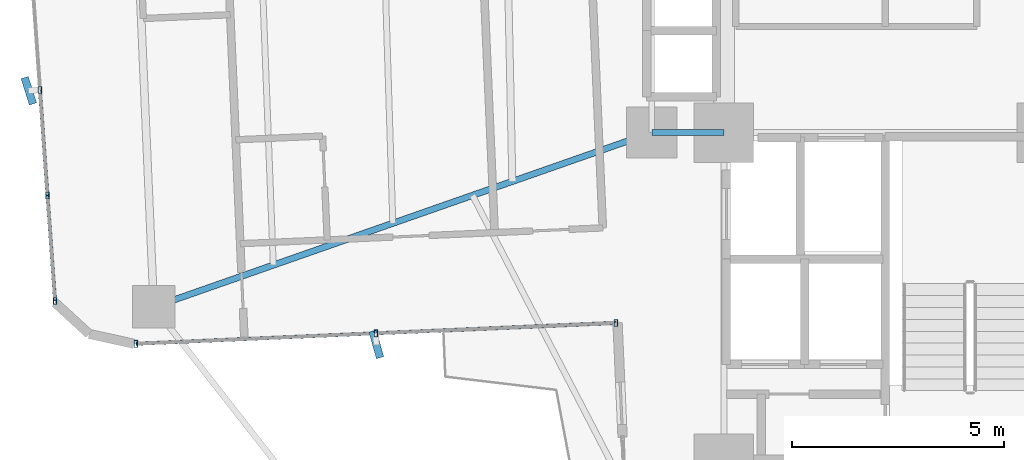
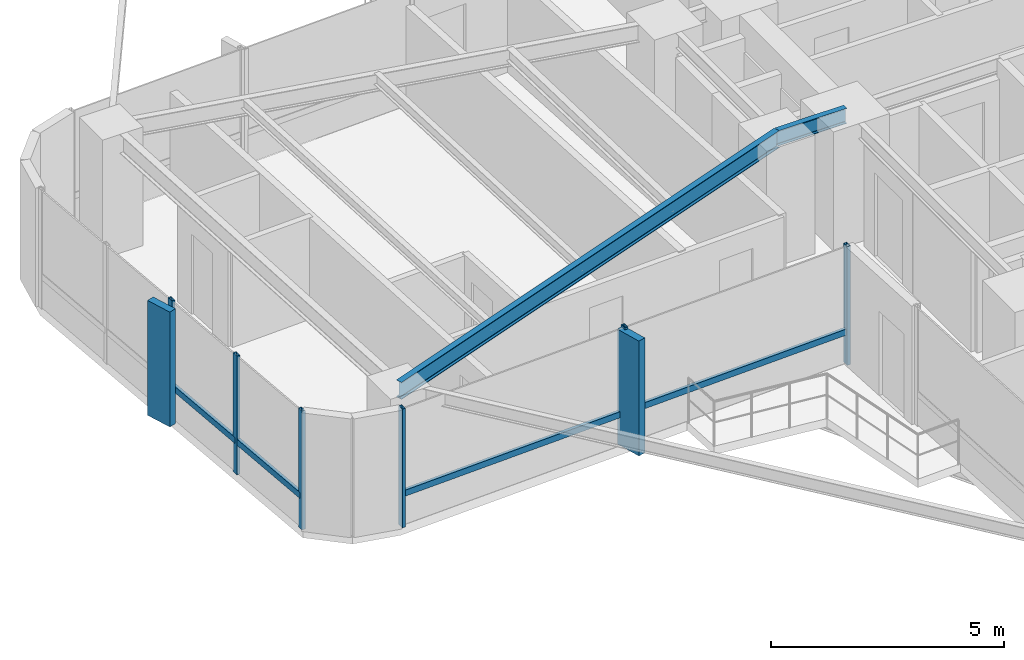
# One storey, part 8 of 26: 12 members, 2 beams, 2 elements without a shape of their own.
"""IFC4 building model written with IfcOpenShell, lengths in metres."""

import ifcopenshell
import ifcopenshell.guid

model = None  # the IFC model being written
_history = None  # IfcOwnerHistory: only IFC2X3 demands one
_inside = {}  # id of a spatial element -> (the spatial element, [elements in it])
_under = {}  # id of a project, library or spatial element -> (it, [spatial elements below it])
_declared = {}  # id of a project -> (the project, [libraries it declares])
_typed = {}  # id of a type object -> (the type object, [elements of that type])
_made_of = {}  # id of a material, layer set ... -> (it, [elements and type objects made of it])


def new_model(schema):
    """Start an empty IFC model of exactly this schema.

    Asked for "IFC4X3", IfcOpenShell would pick the latest addendum, in which some entities
    have other attributes; the version numbers below select the first issue.
    IFC2X3 requires an IfcOwnerHistory on every rooted entity: one is made here for all.
    """
    global model, _history
    if schema == "IFC4X3":
        model = ifcopenshell.file(schema_version=(4, 3, 0, 0))
    else:
        model = ifcopenshell.file(schema=schema)
    _inside.clear()
    _under.clear()
    _declared.clear()
    _typed.clear()
    _made_of.clear()
    _history = None
    if model.schema == "IFC2X3":
        org = make("IfcOrganization", Name="unknown")
        user = make(
            "IfcPersonAndOrganization",
            ThePerson=make("IfcPerson", FamilyName="unknown"),
            TheOrganization=org,
        )
        app = make(
            "IfcApplication",
            ApplicationDeveloper=org,
            Version="unknown",
            ApplicationFullName="unknown",
            ApplicationIdentifier="unknown",
        )
        _history = make(
            "IfcOwnerHistory",
            OwningUser=user,
            OwningApplication=app,
            ChangeAction="ADDED",
            CreationDate=0,
        )
    return model


def make(cls, **values):
    """One entity of the class cls with the attributes given. An attribute that is None is left unset."""
    return model.create_entity(
        cls, **{name: value for name, value in values.items() if value is not None}
    )


def rooted(cls, **values):
    """An entity with a GlobalId (a new one), such as an element, a storey or a relation."""
    return make(cls, GlobalId=ifcopenshell.guid.new(), OwnerHistory=_history, **values)


def si_unit(unit_type, name, prefix=None):
    """IfcSIUnit, for example si_unit("LENGTHUNIT", "METRE", prefix="MILLI")."""
    return make("IfcSIUnit", UnitType=unit_type, Prefix=prefix, Name=name)


def assignment(units):
    """IfcUnitAssignment: the units of a project."""
    return None if units is None else make("IfcUnitAssignment", Units=units)


def point(xyz):
    """IfcCartesianPoint."""
    return None if xyz is None else make("IfcCartesianPoint", Coordinates=xyz)


def direction(xyz):
    """IfcDirection."""
    return None if xyz is None else make("IfcDirection", DirectionRatios=xyz)


def frame(location, z_axis=None, x_axis=None):
    """IfcAxis2Placement3D, a coordinate frame: its origin and axes. An axis left out is left unset."""
    return make(
        "IfcAxis2Placement3D",
        Location=point(location),
        Axis=direction(z_axis),
        RefDirection=direction(x_axis),
    )


def frame_2d(location, x_axis=None):
    """IfcAxis2Placement2D, a coordinate frame in the plane: its origin and x axis."""
    return make(
        "IfcAxis2Placement2D", Location=point(location), RefDirection=direction(x_axis)
    )


def origin():
    """The frame at (0, 0, 0) with its axes left unset."""
    return frame((0.0, 0.0, 0.0))


def origin_2d():
    """The frame at (0, 0) in the plane with its x axis left unset."""
    return frame_2d((0.0, 0.0))


def place(relative_to, where):
    """IfcLocalPlacement: puts the frame where relative to a parent placement (None: the world)."""
    return make(
        "IfcLocalPlacement", PlacementRelTo=relative_to, RelativePlacement=where
    )


def context(
    kind, dimensions, precision=None, world=None, true_north=None, identifier=None
):
    """IfcGeometricRepresentationContext, for example the 3D "Model" context."""
    return make(
        "IfcGeometricRepresentationContext",
        ContextIdentifier=identifier,
        ContextType=kind,
        CoordinateSpaceDimension=dimensions,
        Precision=precision,
        WorldCoordinateSystem=world,
        TrueNorth=true_north,
    )


def subcontext(parent, identifier, kind, view, scale=None):
    """IfcGeometricRepresentationSubContext, for example "Body" below "Model"."""
    return make(
        "IfcGeometricRepresentationSubContext",
        ContextIdentifier=identifier,
        ContextType=kind,
        ParentContext=parent,
        TargetScale=scale,
        TargetView=view,
    )


def project(units=None, contexts=None):
    """IfcProject with its units and contexts."""
    return rooted(
        "IfcProject",
        Name="project",
        RepresentationContexts=contexts,
        UnitsInContext=assignment(units),
    )


def spatial(cls, under=None, at=None, **own):
    """A site, building, storey or space (cls), placed at a placement, below another one or the project."""
    s = rooted(cls, ObjectPlacement=at, **own)
    if under is not None:
        _under.setdefault(under.id(), (under, []))[1].append(s)
    return s


def profile(cls, at=None, kind="AREA", **sizes):
    """A parametric profile (cls). Its sizes go by their IFC names, for example OverallWidth=200.0."""
    return make(cls, ProfileType=kind, Position=at, **sizes)


def rectangle(**sizes):
    """IfcRectangleProfileDef."""
    return profile("IfcRectangleProfileDef", **sizes)


def hollow_rectangle(**sizes):
    """IfcRectangleHollowProfileDef."""
    return profile("IfcRectangleHollowProfileDef", **sizes)


def i_section(**sizes):
    """IfcIShapeProfileDef."""
    return profile("IfcIShapeProfileDef", **sizes)


def extrude(swept, where, along, depth):
    """IfcExtrudedAreaSolid: the profile swept, set in the frame where, extruded along a direction by depth."""
    return make(
        "IfcExtrudedAreaSolid",
        SweptArea=swept,
        Position=where,
        ExtrudedDirection=direction(along),
        Depth=depth,
    )


def shape(context_of_items, identifier, shape_type, items):
    """IfcShapeRepresentation: the items that make up one representation, for example the "Body"."""
    return make(
        "IfcShapeRepresentation",
        ContextOfItems=context_of_items,
        RepresentationIdentifier=identifier,
        RepresentationType=shape_type,
        Items=items,
    )


def source(mapping_origin, context_of_items, identifier, shape_type, items):
    """IfcRepresentationMap: a shape defined once, which mapped items show again and again."""
    return make(
        "IfcRepresentationMap",
        MappingOrigin=mapping_origin,
        MappedRepresentation=shape(context_of_items, identifier, shape_type, items),
    )


def transform(
    local_origin,
    x_axis=None,
    y_axis=None,
    z_axis=None,
    scale=None,
    scale2=None,
    scale3=None,
    uniform=True,
):
    """IfcCartesianTransformationOperator3D, or its non-uniform kind. x_axis, y_axis, z_axis: its Axis1, 2, 3."""
    if uniform:
        return make(
            "IfcCartesianTransformationOperator3D",
            Axis1=direction(x_axis),
            Axis2=direction(y_axis),
            LocalOrigin=point(local_origin),
            Scale=scale,
            Axis3=direction(z_axis),
        )
    return make(
        "IfcCartesianTransformationOperator3DnonUniform",
        Axis1=direction(x_axis),
        Axis2=direction(y_axis),
        LocalOrigin=point(local_origin),
        Scale=scale,
        Axis3=direction(z_axis),
        Scale2=scale2,
        Scale3=scale3,
    )


def mapped(mapping_source, mapping_target):
    """IfcMappedItem: shows the shape of a source again, moved by a transform."""
    return make(
        "IfcMappedItem", MappingSource=mapping_source, MappingTarget=mapping_target
    )


def material(Name=None, Category=None):
    """IfcMaterial."""
    return make("IfcMaterial", Name=Name, Category=Category)


def material_profile(
    of_material, cross_section, Name=None, Category=None, Priority=None
):
    """IfcMaterialProfile: a cross section and its material."""
    return make(
        "IfcMaterialProfile",
        Name=Name,
        Material=of_material,
        Profile=cross_section,
        Priority=Priority,
        Category=Category,
    )


def profile_set(profiles, Name=None, composite=None):
    """IfcMaterialProfileSet."""
    return make(
        "IfcMaterialProfileSet",
        Name=Name,
        MaterialProfiles=profiles,
        CompositeProfile=composite,
    )


def made_of(thing, what):
    """Note that an element or type object is made of a material, layer set ...; save() writes the relation."""
    if what is not None:
        _made_of.setdefault(what.id(), (what, []))[1].append(thing)
    return thing


def type_object(cls, material=None, **own):
    """A type object (cls), such as IfcWallType, which elements share."""
    return made_of(rooted(cls, **own), material)


def element(
    cls,
    number,
    at=None,
    inside=None,
    cuts=None,
    type_object=None,
    material=None,
    context=None,
    identifier="Body",
    shape_type=None,
    held_by="IfcProductDefinitionShape",
    body=None,
    shapes=None,
    **own,
):
    """One element of the class cls, such as IfcWall. Its Tag is "e" and its number.

    at: its placement. inside: the storey or other place that contains it. cuts: it is an
    opening in that element (IfcRelVoidsElement). A single representation is given by context,
    identifier, shape_type and body (its items); several are given by shapes. held_by: the class
    of the entity that holds the representations. save() writes the other relations.
    """
    e = rooted(cls, Tag="e%d" % number, ObjectPlacement=at, **own)
    if body is not None:
        shapes = [shape(context, identifier, shape_type, body)]
    if shapes is not None:
        e.Representation = make(held_by, Representations=shapes)
    if inside is not None:
        _inside.setdefault(inside.id(), (inside, []))[1].append(e)
    if cuts is not None:
        rooted(
            "IfcRelVoidsElement", RelatingBuildingElement=cuts, RelatedOpeningElement=e
        )
    if type_object is not None:
        _typed.setdefault(type_object.id(), (type_object, []))[1].append(e)
    return made_of(e, material)


def aggregate(whole, parts):
    """IfcRelAggregates: a whole, such as a stair, and the parts it consists of."""
    return rooted("IfcRelAggregates", RelatingObject=whole, RelatedObjects=parts)


def save(model, path):
    """Write the relations noted so far, then the file.

    IfcRelAggregates (storeys below a building ...), IfcRelContainedInSpatialStructure (elements
    in a storey), IfcRelDefinesByType, IfcRelAssociatesMaterial and IfcRelDeclares: one each for
    every whole, place, type object, material and project.
    """
    for whole, parts in _under.values():
        aggregate(whole, parts)
    for where, things in _inside.values():
        rooted(
            "IfcRelContainedInSpatialStructure",
            RelatedElements=things,
            RelatingStructure=where,
        )
    for kind, things in _typed.values():
        rooted("IfcRelDefinesByType", RelatedObjects=things, RelatingType=kind)
    for what, things in _made_of.values():
        rooted("IfcRelAssociatesMaterial", RelatedObjects=things, RelatingMaterial=what)
    for by, libraries in _declared.values():
        rooted("IfcRelDeclares", RelatingContext=by, RelatedDefinitions=libraries)
    model.write(path)


model = new_model("IFC4")

# Units and contexts
model_context = context("Model", 3, precision=1e-05, world=origin(), true_north=direction((0.0, 1.0)))
body_context = subcontext(model_context, "Body", "Model", "MODEL_VIEW")
ifc_project = project(units=[si_unit("LENGTHUNIT", "METRE"), si_unit("AREAUNIT", "SQUARE_METRE"), si_unit("VOLUMEUNIT", "CUBIC_METRE"), si_unit("PLANEANGLEUNIT", "RADIAN"), si_unit("MASSUNIT", "GRAM", prefix="KILO")], contexts=[model_context])

# Site, building, storey
site_placement = place(None, origin())
site = spatial("IfcSite", under=ifc_project, at=site_placement, CompositionType="ELEMENT")
building_placement = place(site_placement, origin())
building = spatial("IfcBuilding", under=site, at=building_placement, Name="Sahyath Konkavel Grand Hotel", CompositionType="ELEMENT")
storey_placement = place(building_placement, frame((0.0, 0.0, 83.5)))
storey = spatial("IfcBuildingStorey", under=building, at=storey_placement, Name="L22", CompositionType="ELEMENT", Elevation=83.5)

# Beams
ifc_material_1 = material(Name="Steel E350", Category="steel")
ifc_material_profile_1 = material_profile(ifc_material_1, i_section(OverallWidth=0.139892578125, OverallDepth=0.39990234375, WebThickness=0.0087890625, FlangeThickness=0.01611328125, FilletRadius=0.013916015625, at=origin_2d()), Name="ISMB 400")
ifc_profile_set_1 = profile_set([ifc_material_profile_1], Name="Steel E350")
beam_type_1 = type_object("IfcBeamType", Name="BM-ISMB400", PredefinedType="BEAM", material=ifc_profile_set_1)
shared_shape_1 = source(origin(), body_context, "Body", "SweptSolid", [
    extrude(i_section(OverallWidth=0.139892578125, OverallDepth=0.39990234375, WebThickness=0.0087890625, FlangeThickness=0.01611328125, FilletRadius=0.013916015625, at=origin_2d()), origin(), (0.0, 0.0, 1.0), 1.699951171875),
])
beam_1_placement = place(storey_placement, frame((-5.5, -2.39990234375, 2.909912109375), z_axis=(1.0, 0.0, 0.0), x_axis=(0.0, 1.0, 0.0)))
element("IfcBeam", 1, at=beam_1_placement, inside=storey, type_object=beam_type_1, Name="str:bm:L22:HB-SW", PredefinedType="BEAM", context=body_context, shape_type="MappedRepresentation", body=[
    mapped(shared_shape_1, transform((0.0, 0.0, 0.0), scale=1.0)),
])
ifc_material_profile_2 = material_profile(ifc_material_1, i_section(OverallWidth=0.14990234375, OverallDepth=0.449951171875, WebThickness=0.009521484375, FlangeThickness=0.017333984375, FilletRadius=0.014892578125, at=origin_2d()), Name="ISMB 450")
ifc_profile_set_2 = profile_set([ifc_material_profile_2], Name="Steel E350")
beam_type_2 = type_object("IfcBeamType", Name="BM-ISMB450", PredefinedType="BEAM", material=ifc_profile_set_2)
shared_shape_2 = source(origin(), body_context, "Body", "SweptSolid", [
    extrude(i_section(OverallWidth=0.14990234375, OverallDepth=0.449951171875, WebThickness=0.009521484375, FlangeThickness=0.017333984375, FilletRadius=0.014892578125, at=origin_2d()), origin(), (0.0, 0.0, 1.0), 12.430908203125),
])
beam_2_placement = place(storey_placement, frame((-5.5, -2.39990234375, 2.885009765625), z_axis=(-0.943819157235, -0.330462400941, 0.0), x_axis=(0.330462400941, -0.943819157235, 0.0)))
element("IfcBeam", 2, at=beam_2_placement, inside=storey, type_object=beam_type_2, Name="L22 Cruciform Radial Girder WB", PredefinedType="BEAM", context=body_context, shape_type="MappedRepresentation", body=[
    mapped(shared_shape_2, transform((0.0, 0.0, 0.0), scale=1.0)),
])

# Curtain wall, member
ifc_material_2 = material(Name="Anodised Bronze Aluminium & Low-E Glazing", Category="aluminium")
curtain_wall_type = type_object("IfcCurtainWallType", Name="CW-ZONE2", PredefinedType="NOTDEFINED", material=ifc_material_2)
curtain_wall_1_placement = place(storey_placement, origin())
curtain_wall_1 = element("IfcCurtainWall", 3, at=curtain_wall_1_placement, inside=storey, type_object=curtain_wall_type, Name="L22 Unitised Curtain Wall F20", PredefinedType="NOTDEFINED")
ifc_material_3 = material(Name="Warm Buff Sandstone Cladding on Concrete C50/60", Category="masonry")
ifc_material_profile_3 = material_profile(ifc_material_3, rectangle(XDim=0.179931640625, YDim=0.64990234375, at=origin_2d()), Name="FIN 180x650")
ifc_profile_set_3 = profile_set([ifc_material_profile_3], Name="Warm Buff Sandstone Cladding on Concrete C50/60")
member_type_1 = type_object("IfcMemberType", Name="FIN-SANDSTONE-650", PredefinedType="MULLION", material=ifc_profile_set_3)
shared_shape_3 = source(origin(), body_context, "Body", "SweptSolid", [
    extrude(rectangle(XDim=0.179931640625, YDim=0.64990234375, at=origin_2d()), origin(), (0.0, 0.0, 1.0), 3.010009765625),
])
member_1_placement = place(storey_placement, frame((-20.1767578125, -1.413818359375, 0.050048828125), z_axis=(0.0, 0.0, 1.0), x_axis=(0.954448865814, 0.298374534012, 0.0)))
member_1 = element("IfcMember", 4, at=member_1_placement, type_object=member_type_1, Name="L22 Sandstone Vertical Solar Fin FIN F20-2", PredefinedType="MULLION", context=body_context, shape_type="MappedRepresentation", body=[
    mapped(shared_shape_3, transform((0.0, 0.0, 0.0), scale=1.0)),
])

curtain_wall_2_placement = place(storey_placement, origin())
curtain_wall_2 = element("IfcCurtainWall", 5, at=curtain_wall_2_placement, inside=storey, type_object=curtain_wall_type, Name="L22 Unitised Curtain Wall F23", PredefinedType="NOTDEFINED")
member_2_placement = place(storey_placement, frame((-11.989013671875, -7.39013671875, 0.050048828125), z_axis=(0.0, 0.0, 1.0), x_axis=(0.962974590644, 0.269592169347, 0.0)))
member_2 = element("IfcMember", 6, at=member_2_placement, type_object=member_type_1, Name="L22 Sandstone Vertical Solar Fin FIN F23-1", PredefinedType="MULLION", context=body_context, shape_type="MappedRepresentation", body=[
    mapped(shared_shape_3, transform((0.0, 0.0, 0.0), scale=1.0)),
])

# Member
ifc_material_4 = material(Name="Anodised Bronze Aluminium", Category="aluminium")
ifc_material_profile_4 = material_profile(ifc_material_4, hollow_rectangle(XDim=0.080078125, YDim=0.159912109375, WallThickness=0.006103515625, at=origin_2d()), Name="RHS 160x80x6")
ifc_profile_set_4 = profile_set([ifc_material_profile_4], Name="Anodised Bronze Aluminium")
member_type_2 = type_object("IfcMemberType", Name="CW-MUL-160", PredefinedType="MULLION", material=ifc_profile_set_4)
shared_shape_4 = source(origin(), body_context, "Body", "SweptSolid", [
    extrude(hollow_rectangle(XDim=0.080078125, YDim=0.159912109375, WallThickness=0.006103515625, at=origin_2d()), origin(), (0.0, 0.0, 1.0), 3.110107421875),
])
member_3_placement = place(storey_placement, frame((-19.91748046875, -1.39501953125, 0.0), z_axis=(0.0, 0.0, 1.0), x_axis=(1.0, 0.0, 0.0)))
member_3 = element("IfcMember", 7, at=member_3_placement, type_object=member_type_2, Name="L22 Curtain Wall Mullion F20-2", PredefinedType="MULLION", context=body_context, shape_type="MappedRepresentation", body=[
    mapped(shared_shape_4, transform((0.0, 0.0, 0.0), scale=1.0)),
])

member_4_placement = place(storey_placement, frame((-19.739013671875, -3.882080078125, 0.0), z_axis=(0.0, 0.0, 1.0), x_axis=(1.0, 0.0, 0.0)))
member_4 = element("IfcMember", 8, at=member_4_placement, type_object=member_type_2, Name="L22 Curtain Wall Mullion F20-3", PredefinedType="MULLION", context=body_context, shape_type="MappedRepresentation", body=[
    mapped(shared_shape_4, transform((0.0, 0.0, 0.0), scale=1.0)),
])

member_5_placement = place(storey_placement, frame((-19.560546875, -6.369384765625, 0.0), z_axis=(0.0, 0.0, 1.0), x_axis=(1.0, 0.0, 0.0)))
member_5 = element("IfcMember", 9, at=member_5_placement, type_object=member_type_2, Name="L22 Curtain Wall Mullion F20-4", PredefinedType="MULLION", context=body_context, shape_type="MappedRepresentation", body=[
    mapped(shared_shape_4, transform((0.0, 0.0, 0.0), scale=1.0)),
])

member_6_placement = place(storey_placement, frame((-17.655029296875, -7.377197265625, 0.0), z_axis=(0.0, 0.0, 1.0), x_axis=(1.0, 0.0, 0.0)))
member_6 = element("IfcMember", 10, at=member_6_placement, type_object=member_type_2, Name="L22 Curtain Wall Mullion F23-0", PredefinedType="MULLION", context=body_context, shape_type="MappedRepresentation", body=[
    mapped(shared_shape_4, transform((0.0, 0.0, 0.0), scale=1.0)),
])

member_7_placement = place(storey_placement, frame((-12.00048828125, -7.13037109375, 0.0), z_axis=(0.0, 0.0, 1.0), x_axis=(1.0, 0.0, 0.0)))
member_7 = element("IfcMember", 11, at=member_7_placement, type_object=member_type_2, Name="L22 Curtain Wall Mullion F23-1", PredefinedType="MULLION", context=body_context, shape_type="MappedRepresentation", body=[
    mapped(shared_shape_4, transform((0.0, 0.0, 0.0), scale=1.0)),
])

member_8_placement = place(storey_placement, frame((-6.345703125, -6.88330078125, 0.0), z_axis=(0.0, 0.0, 1.0), x_axis=(1.0, 0.0, 0.0)))
member_8 = element("IfcMember", 12, at=member_8_placement, type_object=member_type_2, Name="L22 Curtain Wall Mullion F23-2", PredefinedType="MULLION", context=body_context, shape_type="MappedRepresentation", body=[
    mapped(shared_shape_4, transform((0.0, 0.0, 0.0), scale=1.0)),
])

ifc_material_profile_5 = material_profile(ifc_material_4, hollow_rectangle(XDim=0.080078125, YDim=0.159912109375, WallThickness=0.006103515625, at=origin_2d()), Name="RHS 160x80x6")
ifc_profile_set_5 = profile_set([ifc_material_profile_5], Name="Anodised Bronze Aluminium")
member_type_3 = type_object("IfcMemberType", Name="CW-TRN-160", PredefinedType="USERDEFINED", material=ifc_profile_set_5)
shared_shape_5 = source(origin(), body_context, "Body", "SweptSolid", [
    extrude(hollow_rectangle(XDim=0.080078125, YDim=0.159912109375, WallThickness=0.006103515625, at=origin_2d()), origin(), (0.0, 0.0, 1.0), 2.493408203125),
])
member_9_placement = place(storey_placement, frame((-19.91748046875, -1.39501953125, 0.85009765625), z_axis=(0.071574084062, -0.997435286367, 0.0), x_axis=(0.997435286367, 0.071574084062, 0.0)))
member_9 = element("IfcMember", 13, at=member_9_placement, type_object=member_type_3, Name="L22 Curtain Wall Transom F20-2-spandrel", ObjectType="TRANSOM", PredefinedType="USERDEFINED", context=body_context, shape_type="MappedRepresentation", body=[
    mapped(shared_shape_5, transform((0.0, 0.0, 0.0), scale=1.0)),
])

shared_shape_6 = source(origin(), body_context, "Body", "SweptSolid", [
    extrude(hollow_rectangle(XDim=0.080078125, YDim=0.159912109375, WallThickness=0.006103515625, at=origin_2d()), origin(), (0.0, 0.0, 1.0), 2.49365234375),
])
member_10_placement = place(storey_placement, frame((-19.739013671875, -3.882080078125, 0.85009765625), z_axis=(0.071567094714, -0.997435787885, 0.0), x_axis=(0.997435787885, 0.071567094714, 0.0)))
member_10 = element("IfcMember", 14, at=member_10_placement, type_object=member_type_3, Name="L22 Curtain Wall Transom F20-3-spandrel", ObjectType="TRANSOM", PredefinedType="USERDEFINED", context=body_context, shape_type="MappedRepresentation", body=[
    mapped(shared_shape_6, transform((0.0, 0.0, 0.0), scale=1.0)),
])

aggregate(curtain_wall_1, [member_3, member_1, member_4, member_5, member_9, member_10])

shared_shape_7 = source(origin(), body_context, "Body", "SweptSolid", [
    extrude(hollow_rectangle(XDim=0.080078125, YDim=0.159912109375, WallThickness=0.006103515625, at=origin_2d()), origin(), (0.0, 0.0, 1.0), 5.659912109375),
])
member_11_placement = place(storey_placement, frame((-17.655029296875, -7.377197265625, 0.85009765625), z_axis=(0.999048655935, 0.043609437898, 0.0), x_axis=(-0.043609437898, 0.999048655935, 0.0)))
member_11 = element("IfcMember", 15, at=member_11_placement, type_object=member_type_3, Name="L22 Curtain Wall Transom F23-0-spandrel", ObjectType="TRANSOM", PredefinedType="USERDEFINED", context=body_context, shape_type="MappedRepresentation", body=[
    mapped(shared_shape_7, transform((0.0, 0.0, 0.0), scale=1.0)),
])

shared_shape_8 = source(origin(), body_context, "Body", "SweptSolid", [
    extrude(hollow_rectangle(XDim=0.080078125, YDim=0.159912109375, WallThickness=0.006103515625, at=origin_2d()), origin(), (0.0, 0.0, 1.0), 5.66015625),
])
member_12_placement = place(storey_placement, frame((-12.00048828125, -7.13037109375, 0.85009765625), z_axis=(0.9990468579, 0.043650609628, 0.0), x_axis=(-0.043650609628, 0.9990468579, 0.0)))
member_12 = element("IfcMember", 16, at=member_12_placement, type_object=member_type_3, Name="L22 Curtain Wall Transom F23-1-spandrel", ObjectType="TRANSOM", PredefinedType="USERDEFINED", context=body_context, shape_type="MappedRepresentation", body=[
    mapped(shared_shape_8, transform((0.0, 0.0, 0.0), scale=1.0)),
])

aggregate(curtain_wall_2, [member_6, member_7, member_2, member_8, member_11, member_12])

save(model, "model.ifc")
